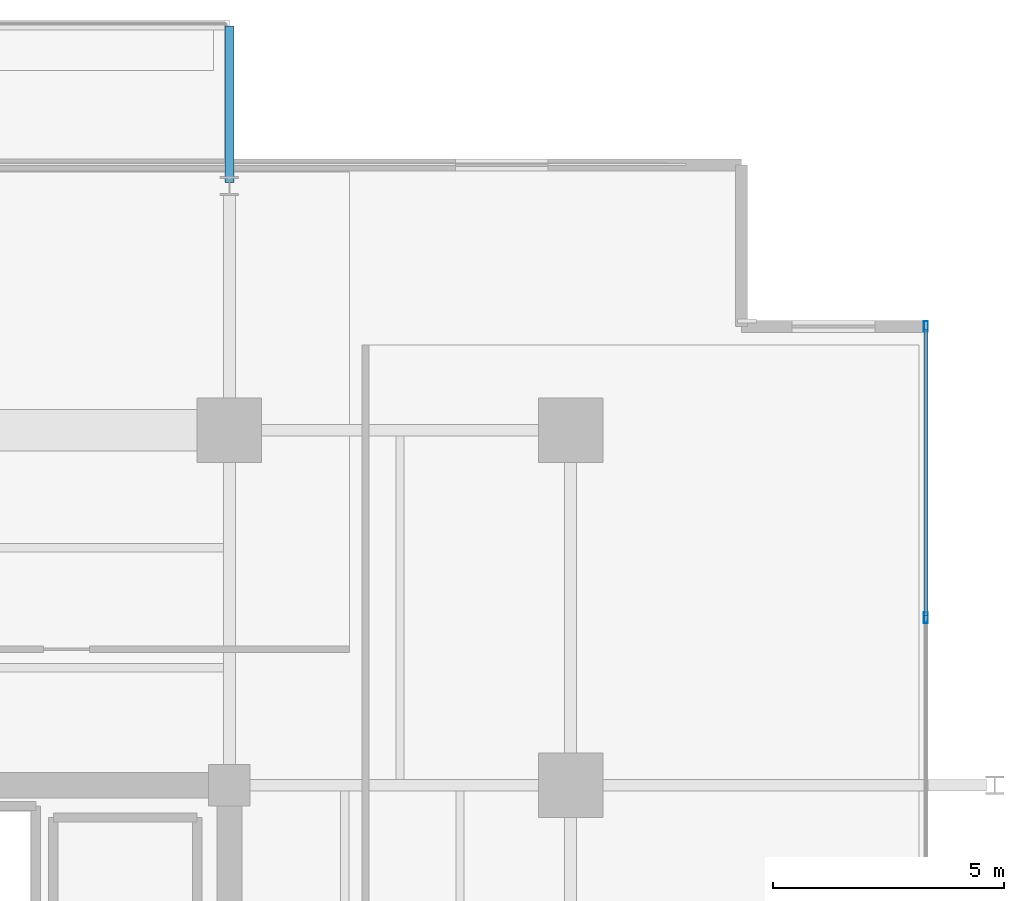
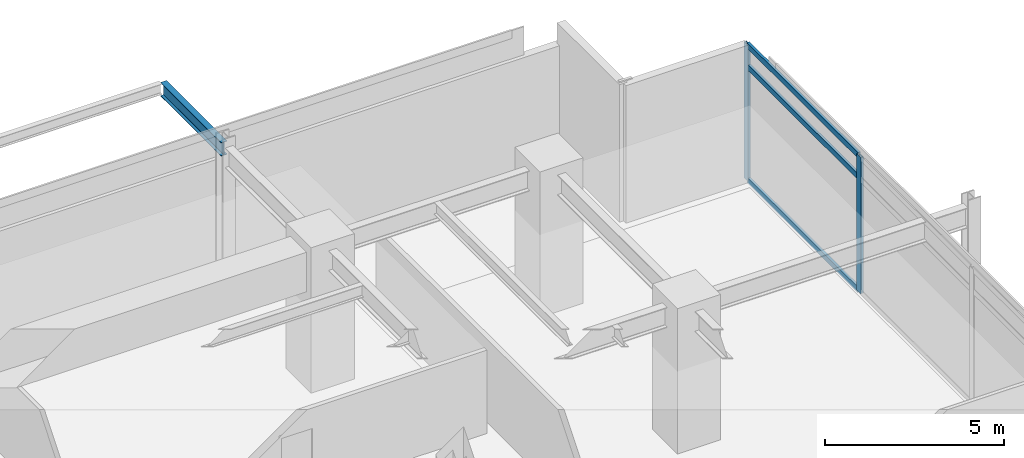
# One storey, part 12 of 25: 5 members, 1 beam, 1 element without a shape of its own.
"""IFC4 building model written with IfcOpenShell, lengths in metres."""

import ifcopenshell
import ifcopenshell.guid

model = None  # the IFC model being written
_history = None  # IfcOwnerHistory: only IFC2X3 demands one
_inside = {}  # id of a spatial element -> (the spatial element, [elements in it])
_under = {}  # id of a project, library or spatial element -> (it, [spatial elements below it])
_declared = {}  # id of a project -> (the project, [libraries it declares])
_typed = {}  # id of a type object -> (the type object, [elements of that type])
_made_of = {}  # id of a material, layer set ... -> (it, [elements and type objects made of it])


def new_model(schema):
    """Start an empty IFC model of exactly this schema.

    Asked for "IFC4X3", IfcOpenShell would pick the latest addendum, in which some entities
    have other attributes; the version numbers below select the first issue.
    IFC2X3 requires an IfcOwnerHistory on every rooted entity: one is made here for all.
    """
    global model, _history
    if schema == "IFC4X3":
        model = ifcopenshell.file(schema_version=(4, 3, 0, 0))
    else:
        model = ifcopenshell.file(schema=schema)
    _inside.clear()
    _under.clear()
    _declared.clear()
    _typed.clear()
    _made_of.clear()
    _history = None
    if model.schema == "IFC2X3":
        org = make("IfcOrganization", Name="unknown")
        user = make(
            "IfcPersonAndOrganization",
            ThePerson=make("IfcPerson", FamilyName="unknown"),
            TheOrganization=org,
        )
        app = make(
            "IfcApplication",
            ApplicationDeveloper=org,
            Version="unknown",
            ApplicationFullName="unknown",
            ApplicationIdentifier="unknown",
        )
        _history = make(
            "IfcOwnerHistory",
            OwningUser=user,
            OwningApplication=app,
            ChangeAction="ADDED",
            CreationDate=0,
        )
    return model


def make(cls, **values):
    """One entity of the class cls with the attributes given. An attribute that is None is left unset."""
    return model.create_entity(
        cls, **{name: value for name, value in values.items() if value is not None}
    )


def rooted(cls, **values):
    """An entity with a GlobalId (a new one), such as an element, a storey or a relation."""
    return make(cls, GlobalId=ifcopenshell.guid.new(), OwnerHistory=_history, **values)


def si_unit(unit_type, name, prefix=None):
    """IfcSIUnit, for example si_unit("LENGTHUNIT", "METRE", prefix="MILLI")."""
    return make("IfcSIUnit", UnitType=unit_type, Prefix=prefix, Name=name)


def assignment(units):
    """IfcUnitAssignment: the units of a project."""
    return None if units is None else make("IfcUnitAssignment", Units=units)


def point(xyz):
    """IfcCartesianPoint."""
    return None if xyz is None else make("IfcCartesianPoint", Coordinates=xyz)


def direction(xyz):
    """IfcDirection."""
    return None if xyz is None else make("IfcDirection", DirectionRatios=xyz)


def frame(location, z_axis=None, x_axis=None):
    """IfcAxis2Placement3D, a coordinate frame: its origin and axes. An axis left out is left unset."""
    return make(
        "IfcAxis2Placement3D",
        Location=point(location),
        Axis=direction(z_axis),
        RefDirection=direction(x_axis),
    )


def frame_2d(location, x_axis=None):
    """IfcAxis2Placement2D, a coordinate frame in the plane: its origin and x axis."""
    return make(
        "IfcAxis2Placement2D", Location=point(location), RefDirection=direction(x_axis)
    )


def origin():
    """The frame at (0, 0, 0) with its axes left unset."""
    return frame((0.0, 0.0, 0.0))


def origin_2d():
    """The frame at (0, 0) in the plane with its x axis left unset."""
    return frame_2d((0.0, 0.0))


def place(relative_to, where):
    """IfcLocalPlacement: puts the frame where relative to a parent placement (None: the world)."""
    return make(
        "IfcLocalPlacement", PlacementRelTo=relative_to, RelativePlacement=where
    )


def context(
    kind, dimensions, precision=None, world=None, true_north=None, identifier=None
):
    """IfcGeometricRepresentationContext, for example the 3D "Model" context."""
    return make(
        "IfcGeometricRepresentationContext",
        ContextIdentifier=identifier,
        ContextType=kind,
        CoordinateSpaceDimension=dimensions,
        Precision=precision,
        WorldCoordinateSystem=world,
        TrueNorth=true_north,
    )


def subcontext(parent, identifier, kind, view, scale=None):
    """IfcGeometricRepresentationSubContext, for example "Body" below "Model"."""
    return make(
        "IfcGeometricRepresentationSubContext",
        ContextIdentifier=identifier,
        ContextType=kind,
        ParentContext=parent,
        TargetScale=scale,
        TargetView=view,
    )


def project(units=None, contexts=None):
    """IfcProject with its units and contexts."""
    return rooted(
        "IfcProject",
        Name="project",
        RepresentationContexts=contexts,
        UnitsInContext=assignment(units),
    )


def spatial(cls, under=None, at=None, **own):
    """A site, building, storey or space (cls), placed at a placement, below another one or the project."""
    s = rooted(cls, ObjectPlacement=at, **own)
    if under is not None:
        _under.setdefault(under.id(), (under, []))[1].append(s)
    return s


def profile(cls, at=None, kind="AREA", **sizes):
    """A parametric profile (cls). Its sizes go by their IFC names, for example OverallWidth=200.0."""
    return make(cls, ProfileType=kind, Position=at, **sizes)


def hollow_rectangle(**sizes):
    """IfcRectangleHollowProfileDef."""
    return profile("IfcRectangleHollowProfileDef", **sizes)


def i_section(**sizes):
    """IfcIShapeProfileDef."""
    return profile("IfcIShapeProfileDef", **sizes)


def extrude(swept, where, along, depth):
    """IfcExtrudedAreaSolid: the profile swept, set in the frame where, extruded along a direction by depth."""
    return make(
        "IfcExtrudedAreaSolid",
        SweptArea=swept,
        Position=where,
        ExtrudedDirection=direction(along),
        Depth=depth,
    )


def shape(context_of_items, identifier, shape_type, items):
    """IfcShapeRepresentation: the items that make up one representation, for example the "Body"."""
    return make(
        "IfcShapeRepresentation",
        ContextOfItems=context_of_items,
        RepresentationIdentifier=identifier,
        RepresentationType=shape_type,
        Items=items,
    )


def material(Name=None, Category=None):
    """IfcMaterial."""
    return make("IfcMaterial", Name=Name, Category=Category)


def material_profile(
    of_material, cross_section, Name=None, Category=None, Priority=None
):
    """IfcMaterialProfile: a cross section and its material."""
    return make(
        "IfcMaterialProfile",
        Name=Name,
        Material=of_material,
        Profile=cross_section,
        Priority=Priority,
        Category=Category,
    )


def profile_set(profiles, Name=None, composite=None):
    """IfcMaterialProfileSet."""
    return make(
        "IfcMaterialProfileSet",
        Name=Name,
        MaterialProfiles=profiles,
        CompositeProfile=composite,
    )


def made_of(thing, what):
    """Note that an element or type object is made of a material, layer set ...; save() writes the relation."""
    if what is not None:
        _made_of.setdefault(what.id(), (what, []))[1].append(thing)
    return thing


def type_object(cls, material=None, **own):
    """A type object (cls), such as IfcWallType, which elements share."""
    return made_of(rooted(cls, **own), material)


def element(
    cls,
    number,
    at=None,
    inside=None,
    cuts=None,
    type_object=None,
    material=None,
    context=None,
    identifier="Body",
    shape_type=None,
    held_by="IfcProductDefinitionShape",
    body=None,
    shapes=None,
    **own,
):
    """One element of the class cls, such as IfcWall. Its Tag is "e" and its number.

    at: its placement. inside: the storey or other place that contains it. cuts: it is an
    opening in that element (IfcRelVoidsElement). A single representation is given by context,
    identifier, shape_type and body (its items); several are given by shapes. held_by: the class
    of the entity that holds the representations. save() writes the other relations.
    """
    e = rooted(cls, Tag="e%d" % number, ObjectPlacement=at, **own)
    if body is not None:
        shapes = [shape(context, identifier, shape_type, body)]
    if shapes is not None:
        e.Representation = make(held_by, Representations=shapes)
    if inside is not None:
        _inside.setdefault(inside.id(), (inside, []))[1].append(e)
    if cuts is not None:
        rooted(
            "IfcRelVoidsElement", RelatingBuildingElement=cuts, RelatedOpeningElement=e
        )
    if type_object is not None:
        _typed.setdefault(type_object.id(), (type_object, []))[1].append(e)
    return made_of(e, material)


def aggregate(whole, parts):
    """IfcRelAggregates: a whole, such as a stair, and the parts it consists of."""
    return rooted("IfcRelAggregates", RelatingObject=whole, RelatedObjects=parts)


def save(model, path):
    """Write the relations noted so far, then the file.

    IfcRelAggregates (storeys below a building ...), IfcRelContainedInSpatialStructure (elements
    in a storey), IfcRelDefinesByType, IfcRelAssociatesMaterial and IfcRelDeclares: one each for
    every whole, place, type object, material and project.
    """
    for whole, parts in _under.values():
        aggregate(whole, parts)
    for where, things in _inside.values():
        rooted(
            "IfcRelContainedInSpatialStructure",
            RelatedElements=things,
            RelatingStructure=where,
        )
    for kind, things in _typed.values():
        rooted("IfcRelDefinesByType", RelatedObjects=things, RelatingType=kind)
    for what, things in _made_of.values():
        rooted("IfcRelAssociatesMaterial", RelatedObjects=things, RelatingMaterial=what)
    for by, libraries in _declared.values():
        rooted("IfcRelDeclares", RelatingContext=by, RelatedDefinitions=libraries)
    model.write(path)


model = new_model("IFC4")

# Units and contexts
model_context = context("Model", 3, precision=1e-05, world=origin(), true_north=direction((0.0, 1.0)))
body_context = subcontext(model_context, "Body", "Model", "MODEL_VIEW")
ifc_project = project(units=[si_unit("LENGTHUNIT", "METRE"), si_unit("AREAUNIT", "SQUARE_METRE"), si_unit("VOLUMEUNIT", "CUBIC_METRE"), si_unit("PLANEANGLEUNIT", "RADIAN"), si_unit("MASSUNIT", "GRAM", prefix="KILO")], contexts=[model_context])

# Site, building, storey
site_placement = place(None, origin())
site = spatial("IfcSite", under=ifc_project, at=site_placement, CompositionType="ELEMENT")
building_placement = place(site_placement, origin())
building = spatial("IfcBuilding", under=site, at=building_placement, Name="Kovane Verandah Tower", CompositionType="ELEMENT")
storey_placement = place(building_placement, frame((0.0, 0.0, 233.199951171875)))
storey = spatial("IfcBuildingStorey", under=building, at=storey_placement, Name="L54", CompositionType="ELEMENT", Elevation=233.199951171875)

# Curtain wall, members
ifc_material_1 = material(Name="Champagne Anodised Aluminium Frame with Low-E Clear Laminated Glass", Category="aluminium")
curtain_wall_type = type_object("IfcCurtainWallType", Name="CW-SYS-03-MID", PredefinedType="NOTDEFINED", material=ifc_material_1)
curtain_wall_placement = place(storey_placement, origin())
curtain_wall = element("IfcCurtainWall", 1, at=curtain_wall_placement, inside=storey, type_object=curtain_wall_type, Name="L54 E Unitised Curtain Wall", PredefinedType="NOTDEFINED")
ifc_material_2 = material(Name="Champagne Anodised Aluminium 6063-T6", Category="aluminium")
ifc_material_profile_1 = material_profile(ifc_material_2, hollow_rectangle(XDim=0.0849609375, YDim=0.22998046875, WallThickness=0.00390625, at=origin_2d()), Name="AL85x230x4")
ifc_profile_set_1 = profile_set([ifc_material_profile_1], Name="Champagne Anodised Aluminium 6063-T6")
member_type_1 = type_object("IfcMemberType", Name="CW-MUL-85x230", PredefinedType="MULLION", material=ifc_profile_set_1)
member_1_placement = place(storey_placement, frame((66.107177734375, 40.133056640625, 0.02001953125), z_axis=(0.0, 0.0, 1.0), x_axis=(1.0, 0.0, 0.0)))
member_1 = element("IfcMember", 2, at=member_1_placement, type_object=member_type_1, Name="L54 E Unitised Curtain Wall Mullion 6", PredefinedType="MULLION", context=body_context, shape_type="SweptSolid", body=[
    extrude(hollow_rectangle(XDim=0.0849609375, YDim=0.22998046875, WallThickness=0.00390625, at=origin_2d()), origin(), (0.0, 0.0, 1.0), 4.659912109375),
])
member_2_placement = place(storey_placement, frame((66.107177734375, 46.44970703125, 0.02001953125), z_axis=(0.0, 0.0, 1.0), x_axis=(1.0, 0.0, 0.0)))
member_2 = element("IfcMember", 3, at=member_2_placement, type_object=member_type_1, Name="L54 E Unitised Curtain Wall Mullion 7", PredefinedType="MULLION", context=body_context, shape_type="SweptSolid", body=[
    extrude(hollow_rectangle(XDim=0.0849609375, YDim=0.22998046875, WallThickness=0.00390625, at=origin_2d()), origin(), (0.0, 0.0, 1.0), 4.659912109375),
])
ifc_material_profile_2 = material_profile(ifc_material_2, hollow_rectangle(XDim=0.0849609375, YDim=0.18994140625, WallThickness=0.00390625, at=origin_2d()), Name="AL85x190x4")
ifc_profile_set_2 = profile_set([ifc_material_profile_2], Name="Champagne Anodised Aluminium 6063-T6")
member_type_2 = type_object("IfcMemberType", Name="CW-TRN-85x190", PredefinedType="USERDEFINED", material=ifc_profile_set_2)
member_3_placement = place(storey_placement, frame((66.107177734375, 40.18310546875, 0.050048828125), z_axis=(0.0, 1.0, 0.0), x_axis=(-1.0, 0.0, 0.0)))
member_3 = element("IfcMember", 4, at=member_3_placement, type_object=member_type_2, Name="L54 E Unitised Curtain Wall Transom TB Bay 6", ObjectType="TRANSOM", PredefinedType="USERDEFINED", context=body_context, shape_type="SweptSolid", body=[
    extrude(hollow_rectangle(XDim=0.0849609375, YDim=0.18994140625, WallThickness=0.00390625, at=origin_2d()), origin(), (0.0, 0.0, 1.0), 6.216552734375),
])
member_4_placement = place(storey_placement, frame((66.107177734375, 40.18310546875, 3.920166015625), z_axis=(0.0, 1.0, 0.0), x_axis=(-1.0, 0.0, 0.0)))
member_4 = element("IfcMember", 5, at=member_4_placement, type_object=member_type_2, Name="L54 E Unitised Curtain Wall Transom TM Bay 6", ObjectType="TRANSOM", PredefinedType="USERDEFINED", context=body_context, shape_type="SweptSolid", body=[
    extrude(hollow_rectangle(XDim=0.0849609375, YDim=0.18994140625, WallThickness=0.00390625, at=origin_2d()), origin(), (0.0, 0.0, 1.0), 6.216552734375),
])
member_5_placement = place(storey_placement, frame((66.107177734375, 40.18310546875, 4.650146484375), z_axis=(0.0, 1.0, 0.0), x_axis=(-1.0, 0.0, 0.0)))
member_5 = element("IfcMember", 6, at=member_5_placement, type_object=member_type_2, Name="L54 E Unitised Curtain Wall Transom TT Bay 6", ObjectType="TRANSOM", PredefinedType="USERDEFINED", context=body_context, shape_type="SweptSolid", body=[
    extrude(hollow_rectangle(XDim=0.0849609375, YDim=0.18994140625, WallThickness=0.00390625, at=origin_2d()), origin(), (0.0, 0.0, 1.0), 6.216552734375),
])
aggregate(curtain_wall, [member_1, member_2, member_3, member_4, member_5])

# Beam
ifc_material_3 = material(Name="Steel S355", Category="steel")
ifc_material_profile_3 = material_profile(ifc_material_3, i_section(OverallWidth=0.19287109375, OverallDepth=0.46728515625, WebThickness=0.011474609375, FlangeThickness=0.01953125, FilletRadius=0.01025390625, at=origin_2d()), Name="UB457x191x98")
ifc_profile_set_3 = profile_set([ifc_material_profile_3], Name="Steel S355")
beam_type = type_object("IfcBeamType", Name="JST-UB457x98", PredefinedType="JOIST", material=ifc_profile_set_3)
beam_placement = place(storey_placement, frame((51.0, 49.580078125, 4.466552734375), z_axis=(0.0, 1.0, 0.0), x_axis=(-1.0, 0.0, 0.0)))
element("IfcBeam", 7, at=beam_placement, inside=storey, type_object=beam_type, Name="L54 North Planter Girder 2", PredefinedType="JOIST", context=body_context, shape_type="SweptSolid", body=[
    extrude(i_section(OverallWidth=0.19287109375, OverallDepth=0.46728515625, WebThickness=0.011474609375, FlangeThickness=0.01953125, FilletRadius=0.01025390625, at=origin_2d()), origin(), (0.0, 0.0, 1.0), 3.393310546875),
])

save(model, "model.ifc")
